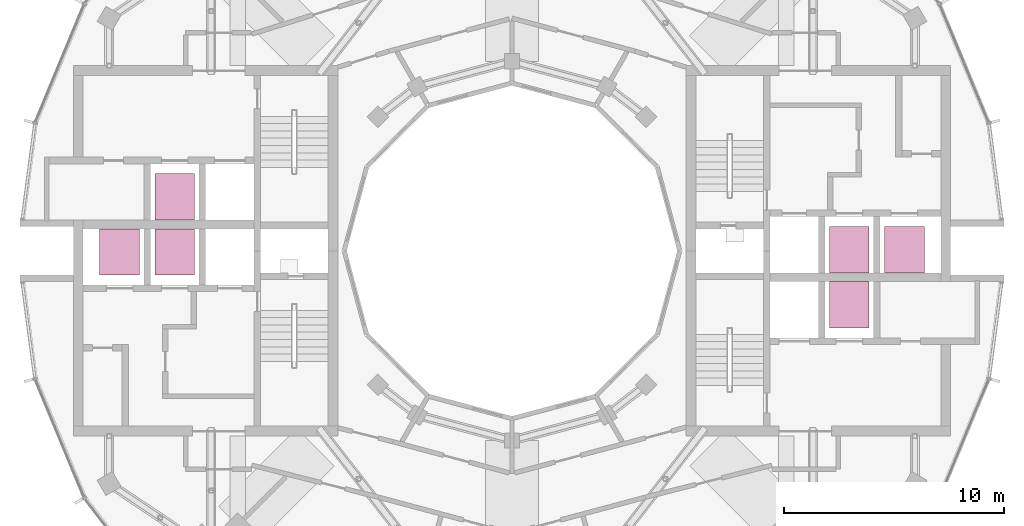
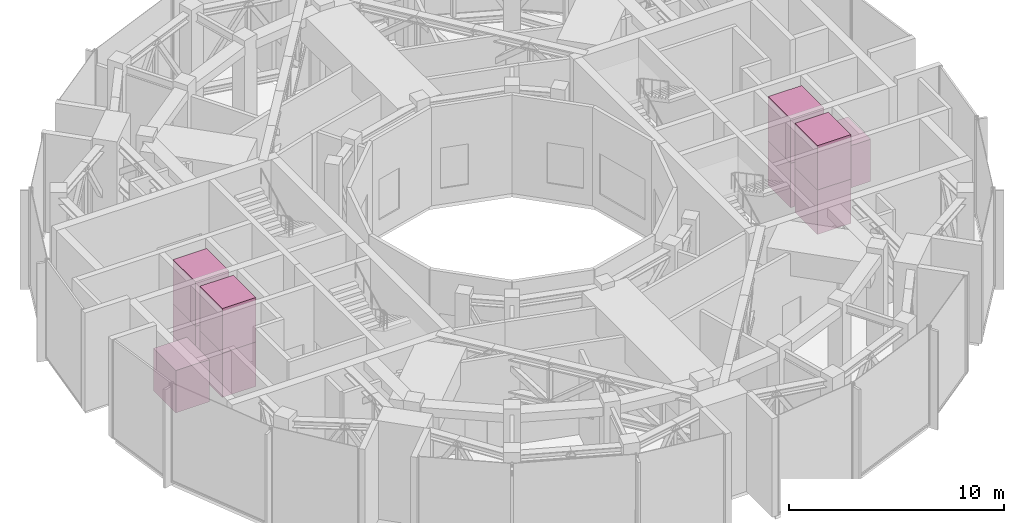
# One storey, part 17 of 17: 10 transport elements.
"""IFC4 building model written with IfcOpenShell, lengths in metres."""

from ifc_helpers import new_model, si_unit, direction, frame, origin, origin_2d, place, context, subcontext, project, spatial, rectangle, extrude, material, type_object, element, save


model = new_model("IFC4")

# Units and contexts
model_context = context("Model", 3, precision=1e-05, world=origin(), true_north=direction((0.0, 1.0)))
body_context = subcontext(model_context, "Body", "Model", "MODEL_VIEW")
ifc_project = project(units=[si_unit("LENGTHUNIT", "METRE"), si_unit("AREAUNIT", "SQUARE_METRE"), si_unit("VOLUMEUNIT", "CUBIC_METRE"), si_unit("PLANEANGLEUNIT", "RADIAN"), si_unit("MASSUNIT", "GRAM", prefix="KILO")], contexts=[model_context])

# Site, building, storey
site_placement = place(None, origin())
site = spatial("IfcSite", under=ifc_project, at=site_placement, CompositionType="ELEMENT")
building_placement = place(site_placement, origin())
building = spatial("IfcBuilding", under=site, at=building_placement, Name="Torre Brocal", CompositionType="ELEMENT")
storey_placement = place(building_placement, frame((0.0, 0.0, 309.300048828125)))
storey = spatial("IfcBuildingStorey", under=building, at=storey_placement, Name="L71", CompositionType="ELEMENT", Elevation=309.300048828125)

# Transport elements
ifc_material = material(Name="Stainless steel AISI 316", Category="steel")
transport_element_type = type_object("IfcTransportElementType", Name="PASSENGER LIFT", PredefinedType="ELEVATOR", material=ifc_material)
for number, where, z_axis, x_axis, name in (
    (1, (95.300048828125, 75.050048828125, 0.0), (0.0, 0.0, 1.0), (1.0, 0.0, 0.0), "HIGH RISE LIFT E-HR1"),
    (2, (95.300048828125, 75.050048828125, 2.52490234375), (0.0, 0.0, 1.0), (1.0, 0.0, 0.0), "HIGH RISE LIFT E-HR1"),
    (3, (95.300048828125, 72.550048828125, 0.0), (0.0, 0.0, 1.0), (1.0, 0.0, 0.0), "HIGH RISE LIFT E-HR2"),
    (4, (95.300048828125, 72.550048828125, 2.52490234375), (0.0, 0.0, 1.0), (1.0, 0.0, 0.0), "HIGH RISE LIFT E-HR2"),
):
    element("IfcTransportElement", number, at=place(storey_placement, frame(where, z_axis=z_axis, x_axis=x_axis)), inside=storey, type_object=transport_element_type, Name=name, PredefinedType="ELEVATOR", context=body_context, shape_type="SweptSolid", body=[
        extrude(rectangle(XDim=1.800048828125, YDim=2.10009765625, at=origin_2d()), origin(), (0.0, 0.0, 1.0), 2.52490234375),
    ])
transport_element_1_placement = place(storey_placement, frame((97.800048828125, 75.050048828125, 0.0), z_axis=(0.0, 0.0, 1.0), x_axis=(1.0, 0.0, 0.0)))
element("IfcTransportElement", 5, at=transport_element_1_placement, inside=storey, type_object=transport_element_type, Name="HIGH RISE LIFT E-HR3", PredefinedType="ELEVATOR", context=body_context, shape_type="SweptSolid", body=[
    extrude(rectangle(XDim=1.800048828125, YDim=2.10009765625, at=origin_2d()), origin(), (0.0, 0.0, 1.0), 2.39990234375),
])
for number, where, z_axis, x_axis, name in (
    (6, (64.699951171875, 74.949951171875, 0.0), (0.0, 0.0, 1.0), (1.0, 0.0, 0.0), "HIGH RISE LIFT W-HR1"),
    (7, (64.699951171875, 74.949951171875, 2.52490234375), (0.0, 0.0, 1.0), (1.0, 0.0, 0.0), "HIGH RISE LIFT W-HR1"),
    (8, (64.699951171875, 77.449951171875, 0.0), (0.0, 0.0, 1.0), (1.0, 0.0, 0.0), "HIGH RISE LIFT W-HR2"),
    (9, (64.699951171875, 77.449951171875, 2.52490234375), (0.0, 0.0, 1.0), (1.0, 0.0, 0.0), "HIGH RISE LIFT W-HR2"),
):
    element("IfcTransportElement", number, at=place(storey_placement, frame(where, z_axis=z_axis, x_axis=x_axis)), inside=storey, type_object=transport_element_type, Name=name, PredefinedType="ELEVATOR", context=body_context, shape_type="SweptSolid", body=[
        extrude(rectangle(XDim=1.800048828125, YDim=2.10009765625, at=origin_2d()), origin(), (0.0, 0.0, 1.0), 2.52490234375),
    ])
transport_element_2_placement = place(storey_placement, frame((62.199951171875, 74.949951171875, 0.0), z_axis=(0.0, 0.0, 1.0), x_axis=(1.0, 0.0, 0.0)))
element("IfcTransportElement", 10, at=transport_element_2_placement, inside=storey, type_object=transport_element_type, Name="HIGH RISE LIFT W-HR3", PredefinedType="ELEVATOR", context=body_context, shape_type="SweptSolid", body=[
    extrude(rectangle(XDim=1.800048828125, YDim=2.10009765625, at=origin_2d()), origin(), (0.0, 0.0, 1.0), 2.39990234375),
])

save(model, "model.ifc")
